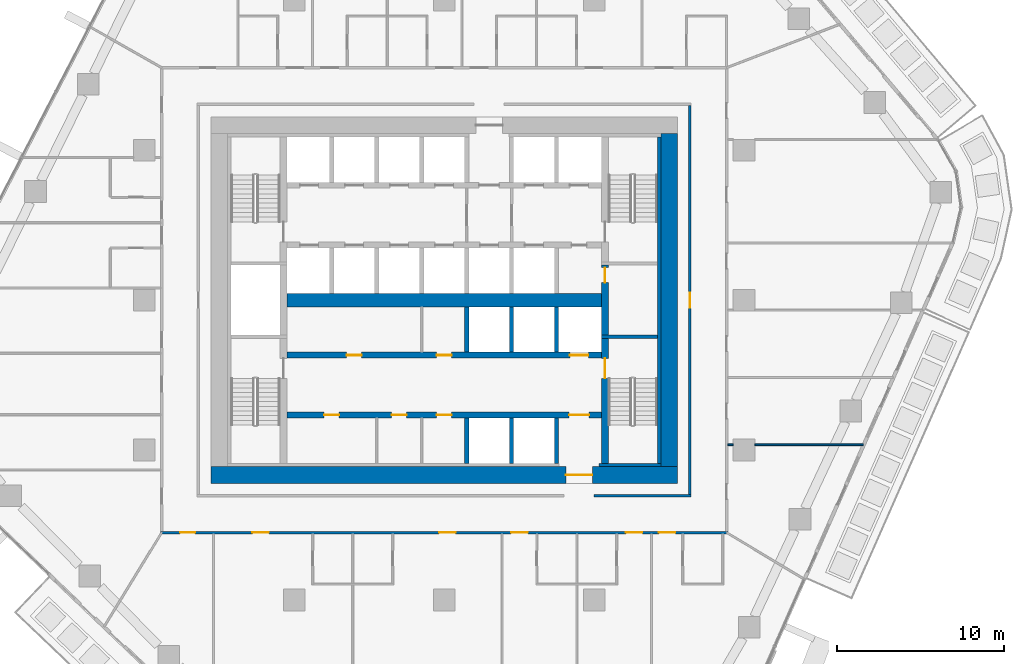
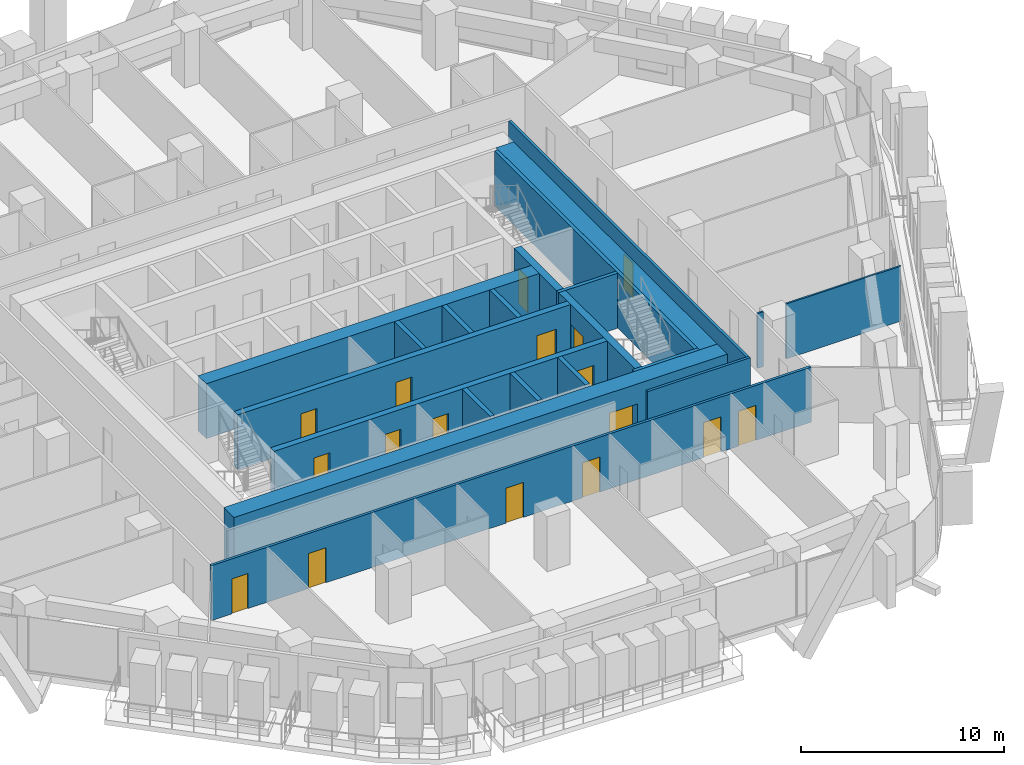
# One storey, part 13 of 24: 21 walls, 17 doors, 17 openings.
"""IFC4 building model written with IfcOpenShell, lengths in metres."""

from ifc_helpers import new_model, si_unit, direction, frame, frame_2d, origin, place, context, subcontext, project, spatial, rectangle, extrude, material, layer, layer_set, type_object, element, fill, save


model = new_model("IFC4")

# Units and contexts
model_context = context("Model", 3, precision=1e-05, world=origin(), true_north=direction((0.0, 1.0)))
body_context = subcontext(model_context, "Body", "Model", "MODEL_VIEW")
ifc_project = project(units=[si_unit("LENGTHUNIT", "METRE"), si_unit("AREAUNIT", "SQUARE_METRE"), si_unit("VOLUMEUNIT", "CUBIC_METRE"), si_unit("PLANEANGLEUNIT", "RADIAN"), si_unit("MASSUNIT", "GRAM", prefix="KILO")], contexts=[model_context])

# Site, building, storey
site_placement = place(None, origin())
site = spatial("IfcSite", under=ifc_project, at=site_placement, CompositionType="ELEMENT")
building_placement = place(site_placement, origin())
building = spatial("IfcBuilding", under=site, at=building_placement, Name="Dongbaek Canopy Tower", CompositionType="ELEMENT")
storey_placement = place(building_placement, frame((0.0, 0.0, 113.699951171875)))
storey = spatial("IfcBuildingStorey", under=building, at=storey_placement, Name="L24", CompositionType="ELEMENT", Elevation=113.699951171875)

# Wall
ifc_material_1 = material(Name="Concrete C60/75", Category="concrete")
ifc_layer_1 = layer(ifc_material_1, 0.800048828125)
ifc_layer_set_1 = layer_set([ifc_layer_1], Name="Core central wall 800 Concrete C60/75")
wall_type_1 = type_object("IfcWallType", Name="Core central wall 800 Concrete C60/75", PredefinedType="SHEAR", material=ifc_layer_set_1)
wall_1_placement = place(storey_placement, frame((-9.449951171875, 0.0, 0.0), z_axis=(0.0, 0.0, 1.0), x_axis=(1.0, 0.0, 0.0)))
element("IfcWall", 1, at=wall_1_placement, inside=storey, type_object=wall_type_1, Name="Core wall", PredefinedType="SHEAR", context=body_context, shape_type="SweptSolid", body=[
    extrude(rectangle(XDim=18.89990234375, YDim=0.800048828125, at=frame_2d((9.449951171875, 0.0))), origin(), (0.0, 0.0, 1.0), 3.300048828125),
])

# Wall, openings, doors
ifc_material_2 = material(Name="Concrete C60/75", Category="concrete")
ifc_layer_2 = layer(ifc_material_2, 0.35009765625)
ifc_layer_set_2 = layer_set([ifc_layer_2], Name="Core lobby wall 350 Concrete C60/75")
wall_type_2 = type_object("IfcWallType", Name="Core lobby wall 350 Concrete C60/75", PredefinedType="SHEAR", material=ifc_layer_set_2)
wall_2_placement = place(storey_placement, frame((-9.449951171875, -3.300048828125, 0.0), z_axis=(0.0, 0.0, 1.0), x_axis=(1.0, 0.0, 0.0)))
wall_2 = element("IfcWall", 2, at=wall_2_placement, inside=storey, type_object=wall_type_2, Name="Core wall", PredefinedType="SHEAR", context=body_context, shape_type="SweptSolid", body=[
    extrude(rectangle(XDim=18.89990234375, YDim=0.35009765625, at=frame_2d((9.449951171875, 0.0))), origin(), (0.0, 0.0, 1.0), 3.300048828125),
])
opening_1_placement = place(wall_2_placement, frame((17.0, 0.0, 0.0)))
opening_1 = element("IfcOpeningElement", 3, at=opening_1_placement, cuts=wall_2, Name="Opening L24-D057", PredefinedType="OPENING", context=body_context, shape_type="SweptSolid", body=[
    extrude(rectangle(XDim=1.10009765625, YDim=2.10009765625, at=frame_2d((0.550048828125, 1.050048828125))), frame((0.0, 0.18505859375, 0.0), z_axis=(0.0, -1.0, 0.0), x_axis=(1.0, 0.0, 0.0)), (0.0, 0.0, 1.0), 0.3701171875),
])
opening_2_placement = place(wall_2_placement, frame((3.60009765625, 0.0, 0.0)))
opening_2 = element("IfcOpeningElement", 4, at=opening_2_placement, cuts=wall_2, Name="Opening L24-D060", PredefinedType="OPENING", context=body_context, shape_type="SweptSolid", body=[
    extrude(rectangle(XDim=0.89990234375, YDim=2.10009765625, at=frame_2d((0.449951171875, 1.050048828125))), frame((0.0, 0.18505859375, 0.0), z_axis=(0.0, -1.0, 0.0), x_axis=(1.0, 0.0, 0.0)), (0.0, 0.0, 1.0), 0.3701171875),
])
opening_3_placement = place(wall_2_placement, frame((9.0, 0.0, 0.0)))
opening_3 = element("IfcOpeningElement", 5, at=opening_3_placement, cuts=wall_2, Name="Opening L24-D061", PredefinedType="OPENING", context=body_context, shape_type="SweptSolid", body=[
    extrude(rectangle(XDim=0.89990234375, YDim=2.10009765625, at=frame_2d((0.449951171875, 1.050048828125))), frame((0.0, 0.18505859375, 0.0), z_axis=(0.0, -1.0, 0.0), x_axis=(1.0, 0.0, 0.0)), (0.0, 0.0, 1.0), 0.3701171875),
])
ifc_material_3 = material(Name="Steel", Category="steel")
door_type_1 = type_object("IfcDoorType", Name="Core room door 900 x 2100", OperationType="SINGLE_SWING_LEFT", PredefinedType="DOOR", material=ifc_material_3)
door_1_placement = place(opening_2_placement, origin())
door_1 = element("IfcDoor", 6, at=door_1_placement, inside=storey, type_object=door_type_1, Name="Door L24-D060", OperationType="SINGLE_SWING_RIGHT", OverallHeight=2.10009765625, OverallWidth=0.89990234375, PredefinedType="DOOR", context=body_context, shape_type="SweptSolid", body=[
    extrude(rectangle(XDim=0.89990234375, YDim=2.10009765625, at=frame_2d((0.449951171875, 1.050048828125))), frame((0.0, 0.02490234375, 0.0), z_axis=(0.0, -1.0, 0.0), x_axis=(1.0, 0.0, 0.0)), (0.0, 0.0, 1.0), 0.050048828125),
])
fill(opening_2, door_1)
door_2_placement = place(opening_3_placement, origin())
door_2 = element("IfcDoor", 7, at=door_2_placement, inside=storey, type_object=door_type_1, Name="Door L24-D061", OperationType="SINGLE_SWING_LEFT", OverallHeight=2.10009765625, OverallWidth=0.89990234375, PredefinedType="DOOR", context=body_context, shape_type="SweptSolid", body=[
    extrude(rectangle(XDim=0.89990234375, YDim=2.10009765625, at=frame_2d((0.449951171875, 1.050048828125))), frame((0.0, 0.02490234375, 0.0), z_axis=(0.0, -1.0, 0.0), x_axis=(1.0, 0.0, 0.0)), (0.0, 0.0, 1.0), 0.050048828125),
])
fill(opening_3, door_2)
ifc_material_4 = material(Name="Stainless steel", Category="steel")
door_type_2 = type_object("IfcDoorType", Name="Lift landing door 1100 x 2100", OperationType="DOUBLE_DOOR_SLIDING", PredefinedType="DOOR", material=ifc_material_4)
door_3_placement = place(opening_1_placement, origin())
door_3 = element("IfcDoor", 8, at=door_3_placement, inside=storey, type_object=door_type_2, Name="Landing door SV2", OperationType="DOUBLE_DOOR_SLIDING", OverallHeight=2.10009765625, OverallWidth=1.10009765625, PredefinedType="DOOR", context=body_context, shape_type="SweptSolid", body=[
    extrude(rectangle(XDim=1.10009765625, YDim=2.10009765625, at=frame_2d((0.550048828125, 1.050048828125))), frame((0.0, 0.02490234375, 0.0), z_axis=(0.0, -1.0, 0.0), x_axis=(1.0, 0.0, 0.0)), (0.0, 0.0, 1.0), 0.050048828125),
])
fill(opening_1, door_3)

wall_3_placement = place(storey_placement, frame((9.449951171875, -6.89990234375, 0.0), z_axis=(0.0, 0.0, 1.0), x_axis=(-1.0, 0.0, 0.0)))
wall_3 = element("IfcWall", 9, at=wall_3_placement, inside=storey, type_object=wall_type_2, Name="Core wall", PredefinedType="SHEAR", context=body_context, shape_type="SweptSolid", body=[
    extrude(rectangle(XDim=18.89990234375, YDim=0.35009765625, at=frame_2d((9.449951171875, 0.0))), origin(), (0.0, 0.0, 1.0), 3.300048828125),
])
opening_4_placement = place(wall_3_placement, frame((0.75, 0.0, 0.0)))
opening_4 = element("IfcOpeningElement", 10, at=opening_4_placement, cuts=wall_3, Name="Opening L24-D059", PredefinedType="OPENING", context=body_context, shape_type="SweptSolid", body=[
    extrude(rectangle(XDim=1.199951171875, YDim=2.10009765625, at=frame_2d((0.60009765625, 1.050048828125))), frame((0.0, 0.18505859375, 0.0), z_axis=(0.0, -1.0, 0.0), x_axis=(1.0, 0.0, 0.0)), (0.0, 0.0, 1.0), 0.3701171875),
])
opening_5_placement = place(wall_3_placement, frame((15.75, 0.0, 0.0)))
opening_5 = element("IfcOpeningElement", 11, at=opening_5_placement, cuts=wall_3, Name="Opening L24-D062", PredefinedType="OPENING", context=body_context, shape_type="SweptSolid", body=[
    extrude(rectangle(XDim=0.89990234375, YDim=2.10009765625, at=frame_2d((0.449951171875, 1.050048828125))), frame((0.0, 0.18505859375, 0.0), z_axis=(0.0, -1.0, 0.0), x_axis=(1.0, 0.0, 0.0)), (0.0, 0.0, 1.0), 0.3701171875),
])
opening_6_placement = place(wall_3_placement, frame((11.699951171875, 0.0, 0.0)))
opening_6 = element("IfcOpeningElement", 12, at=opening_6_placement, cuts=wall_3, Name="Opening L24-D063", PredefinedType="OPENING", context=body_context, shape_type="SweptSolid", body=[
    extrude(rectangle(XDim=0.89990234375, YDim=2.10009765625, at=frame_2d((0.449951171875, 1.050048828125))), frame((0.0, 0.18505859375, 0.0), z_axis=(0.0, -1.0, 0.0), x_axis=(1.0, 0.0, 0.0)), (0.0, 0.0, 1.0), 0.3701171875),
])
opening_7_placement = place(wall_3_placement, frame((9.0, 0.0, 0.0)))
opening_7 = element("IfcOpeningElement", 13, at=opening_7_placement, cuts=wall_3, Name="Opening L24-D064", PredefinedType="OPENING", context=body_context, shape_type="SweptSolid", body=[
    extrude(rectangle(XDim=0.89990234375, YDim=2.10009765625, at=frame_2d((0.449951171875, 1.050048828125))), frame((0.0, 0.18505859375, 0.0), z_axis=(0.0, -1.0, 0.0), x_axis=(1.0, 0.0, 0.0)), (0.0, 0.0, 1.0), 0.3701171875),
])
door_4_placement = place(opening_5_placement, origin())
door_4 = element("IfcDoor", 14, at=door_4_placement, inside=storey, type_object=door_type_1, Name="Door L24-D062", OperationType="SINGLE_SWING_RIGHT", OverallHeight=2.10009765625, OverallWidth=0.89990234375, PredefinedType="DOOR", context=body_context, shape_type="SweptSolid", body=[
    extrude(rectangle(XDim=0.89990234375, YDim=2.10009765625, at=frame_2d((0.449951171875, 1.050048828125))), frame((0.0, 0.02490234375, 0.0), z_axis=(0.0, -1.0, 0.0), x_axis=(1.0, 0.0, 0.0)), (0.0, 0.0, 1.0), 0.050048828125),
])
fill(opening_5, door_4)
door_5_placement = place(opening_6_placement, origin())
door_5 = element("IfcDoor", 15, at=door_5_placement, inside=storey, type_object=door_type_1, Name="Door L24-D063", OperationType="SINGLE_SWING_LEFT", OverallHeight=2.10009765625, OverallWidth=0.89990234375, PredefinedType="DOOR", context=body_context, shape_type="SweptSolid", body=[
    extrude(rectangle(XDim=0.89990234375, YDim=2.10009765625, at=frame_2d((0.449951171875, 1.050048828125))), frame((0.0, 0.02490234375, 0.0), z_axis=(0.0, -1.0, 0.0), x_axis=(1.0, 0.0, 0.0)), (0.0, 0.0, 1.0), 0.050048828125),
])
fill(opening_6, door_5)
door_6_placement = place(opening_7_placement, origin())
door_6 = element("IfcDoor", 16, at=door_6_placement, inside=storey, type_object=door_type_1, Name="Door L24-D064", OperationType="SINGLE_SWING_RIGHT", OverallHeight=2.10009765625, OverallWidth=0.89990234375, PredefinedType="DOOR", context=body_context, shape_type="SweptSolid", body=[
    extrude(rectangle(XDim=0.89990234375, YDim=2.10009765625, at=frame_2d((0.449951171875, 1.050048828125))), frame((0.0, 0.02490234375, 0.0), z_axis=(0.0, -1.0, 0.0), x_axis=(1.0, 0.0, 0.0)), (0.0, 0.0, 1.0), 0.050048828125),
])
fill(opening_7, door_6)
ifc_material_5 = material(Name="Steel", Category="steel")
door_type_3 = type_object("IfcDoorType", Name="Fire lobby door 1200 x 2100", OperationType="SINGLE_SWING_LEFT", PredefinedType="DOOR", material=ifc_material_5)
door_7_placement = place(opening_4_placement, origin())
door_7 = element("IfcDoor", 17, at=door_7_placement, inside=storey, type_object=door_type_3, Name="Door L24-D059", OperationType="SINGLE_SWING_LEFT", OverallHeight=2.10009765625, OverallWidth=1.199951171875, PredefinedType="DOOR", context=body_context, shape_type="SweptSolid", body=[
    extrude(rectangle(XDim=1.199951171875, YDim=2.10009765625, at=frame_2d((0.60009765625, 1.050048828125))), frame((0.0, 0.02490234375, 0.0), z_axis=(0.0, -1.0, 0.0), x_axis=(1.0, 0.0, 0.0)), (0.0, 0.0, 1.0), 0.050048828125),
])
fill(opening_4, door_7)

# Wall, opening, door
ifc_material_6 = material(Name="Concrete C60/75", Category="concrete")
ifc_layer_3 = layer(ifc_material_6, 1.0)
ifc_layer_set_3 = layer_set([ifc_layer_3], Name="Core outer wall 1000 Concrete C60/75")
wall_type_3 = type_object("IfcWallType", Name="Core outer wall 1000 Concrete C60/75", PredefinedType="SHEAR", material=ifc_layer_set_3)
wall_4_placement = place(storey_placement, frame((14.0, -10.5, 0.0), z_axis=(0.0, 0.0, 1.0), x_axis=(-1.0, 0.0, 0.0)))
wall_4 = element("IfcWall", 18, at=wall_4_placement, inside=storey, type_object=wall_type_3, Name="Core wall", PredefinedType="SHEAR", context=body_context, shape_type="SweptSolid", body=[
    extrude(rectangle(XDim=28.0, YDim=1.0, at=frame_2d((14.0, 0.0))), origin(), (0.0, 0.0, 1.0), 3.300048828125),
])
opening_8_placement = place(wall_4_placement, frame((5.10009765625, 0.0, 0.0)))
opening_8 = element("IfcOpeningElement", 19, at=opening_8_placement, cuts=wall_4, Name="Opening L24-D058", PredefinedType="OPENING", context=body_context, shape_type="SweptSolid", body=[
    extrude(rectangle(XDim=1.60009765625, YDim=2.10009765625, at=frame_2d((0.800048828125, 1.050048828125))), frame((0.0, 0.510009765625, 0.0), z_axis=(0.0, -1.0, 0.0), x_axis=(1.0, 0.0, 0.0)), (0.0, 0.0, 1.0), 1.02001953125),
])
ifc_material_7 = material(Name="Steel", Category="steel")
door_type_4 = type_object("IfcDoorType", Name="Core exit door 1600 x 2100", OperationType="DOUBLE_DOOR_SINGLE_SWING", PredefinedType="DOOR", material=ifc_material_7)
door_8_placement = place(opening_8_placement, origin())
door_8 = element("IfcDoor", 20, at=door_8_placement, inside=storey, type_object=door_type_4, Name="Core exit door", OperationType="DOUBLE_DOOR_SINGLE_SWING", OverallHeight=2.10009765625, OverallWidth=1.60009765625, PredefinedType="DOOR", context=body_context, shape_type="SweptSolid", body=[
    extrude(rectangle(XDim=1.60009765625, YDim=2.10009765625, at=frame_2d((0.800048828125, 1.050048828125))), frame((0.0, 0.02490234375, 0.0), z_axis=(0.0, -1.0, 0.0), x_axis=(1.0, 0.0, 0.0)), (0.0, 0.0, 1.0), 0.050048828125),
])
fill(opening_8, door_8)

# Walls
wall_5_placement = place(storey_placement, frame((13.5, 10.0, 0.0), z_axis=(0.0, 0.0, 1.0), x_axis=(0.0, -1.0, 0.0)))
element("IfcWall", 21, at=wall_5_placement, inside=storey, type_object=wall_type_3, Name="Core wall", PredefinedType="SHEAR", context=body_context, shape_type="SweptSolid", body=[
    extrude(rectangle(XDim=20.0, YDim=1.0, at=frame_2d((10.0, 0.0))), origin(), (0.0, 0.0, 1.0), 3.300048828125),
])
ifc_material_8 = material(Name="Concrete C60/75", Category="concrete")
ifc_layer_4 = layer(ifc_material_8, 0.199951171875)
ifc_layer_set_4 = layer_set([ifc_layer_4], Name="Core wall lining 200 Concrete C60/75")
wall_type_4 = type_object("IfcWallType", Name="Core wall lining 200 Concrete C60/75", PredefinedType="SHEAR", material=ifc_layer_set_4)
wall_6_placement = place(storey_placement, frame((13.0, -9.89990234375, 0.0), z_axis=(0.0, 0.0, 1.0), x_axis=(-1.0, 0.0, 0.0)))
element("IfcWall", 22, at=wall_6_placement, inside=storey, type_object=wall_type_4, Name="Core wall lining", PredefinedType="SHEAR", context=body_context, shape_type="SweptSolid", body=[
    extrude(rectangle(XDim=3.699951171875, YDim=0.199951171875, at=frame_2d((1.85009765625, 0.0))), origin(), (0.0, 0.0, 1.0), 3.300048828125),
])
wall_7_placement = place(storey_placement, frame((12.89990234375, 9.800048828125, 0.0), z_axis=(0.0, 0.0, 1.0), x_axis=(0.0, -1.0, 0.0)))
element("IfcWall", 23, at=wall_7_placement, inside=storey, type_object=wall_type_4, Name="Core wall lining", PredefinedType="SHEAR", context=body_context, shape_type="SweptSolid", body=[
    extrude(rectangle(XDim=19.60009765625, YDim=0.199951171875, at=frame_2d((9.800048828125, 0.0))), origin(), (0.0, 0.0, 1.0), 3.300048828125),
])

# Wall, openings, doors
ifc_material_9 = material(Name="Gypsum board partition, steel stud, 2 x 15 mm fire board", Category="steel")
ifc_layer_5 = layer(ifc_material_9, 0.14990234375)
ifc_layer_set_5 = layer_set([ifc_layer_5], Name="Fire-rated partition 150 gypsum board")
wall_type_5 = type_object("IfcWallType", Name="Fire-rated partition 150 gypsum board", PredefinedType="PARTITIONING", material=ifc_layer_set_5)
wall_8_placement = place(storey_placement, frame((17.02490234375, -13.949951171875, 0.0), z_axis=(0.0, 0.0, 1.0), x_axis=(-1.0, 0.0, 0.0)))
wall_8 = element("IfcWall", 24, at=wall_8_placement, inside=storey, type_object=wall_type_5, Name="Corridor partition", PredefinedType="PARTITIONING", context=body_context, shape_type="SweptSolid", body=[
    extrude(rectangle(XDim=34.0498046875, YDim=0.14990234375, at=frame_2d((17.02490234375, 0.0))), origin(), (0.0, 0.0, 1.0), 3.300048828125),
])
opening_9_placement = place(wall_8_placement, frame((31.9736328125, 0.0, 0.0)))
opening_9 = element("IfcOpeningElement", 25, at=opening_9_placement, cuts=wall_8, Name="Opening L24-D004", PredefinedType="OPENING", context=body_context, shape_type="SweptSolid", body=[
    extrude(rectangle(XDim=0.89990234375, YDim=2.10009765625, at=frame_2d((0.449951171875, 1.050048828125))), frame((0.0, 0.0849609375, 0.0), z_axis=(0.0, -1.0, 0.0), x_axis=(1.0, 0.0, 0.0)), (0.0, 0.0, 1.0), 0.169921875),
])
opening_10_placement = place(wall_8_placement, frame((27.543212890625, 0.0, 0.0)))
opening_10 = element("IfcOpeningElement", 26, at=opening_10_placement, cuts=wall_8, Name="Opening L24-D006", PredefinedType="OPENING", context=body_context, shape_type="SweptSolid", body=[
    extrude(rectangle(XDim=1.0, YDim=2.10009765625, at=frame_2d((0.5, 1.050048828125))), frame((0.0, 0.0849609375, 0.0), z_axis=(0.0, -1.0, 0.0), x_axis=(1.0, 0.0, 0.0)), (0.0, 0.0, 1.0), 0.169921875),
])
opening_11_placement = place(wall_8_placement, frame((16.332763671875, 0.0, 0.0)))
opening_11 = element("IfcOpeningElement", 27, at=opening_11_placement, cuts=wall_8, Name="Opening L24-D008", PredefinedType="OPENING", context=body_context, shape_type="SweptSolid", body=[
    extrude(rectangle(XDim=1.0, YDim=2.10009765625, at=frame_2d((0.5, 1.050048828125))), frame((0.0, 0.0849609375, 0.0), z_axis=(0.0, -1.0, 0.0), x_axis=(1.0, 0.0, 0.0)), (0.0, 0.0, 1.0), 0.169921875),
])
opening_12_placement = place(wall_8_placement, frame((12.005615234375, 0.0, 0.0)))
opening_12 = element("IfcOpeningElement", 28, at=opening_12_placement, cuts=wall_8, Name="Opening L24-D010", PredefinedType="OPENING", context=body_context, shape_type="SweptSolid", body=[
    extrude(rectangle(XDim=1.0, YDim=2.10009765625, at=frame_2d((0.5, 1.050048828125))), frame((0.0, 0.0849609375, 0.0), z_axis=(0.0, -1.0, 0.0), x_axis=(1.0, 0.0, 0.0)), (0.0, 0.0, 1.0), 0.169921875),
])
opening_13_placement = place(wall_8_placement, frame((5.123779296875, 0.0, 0.0)))
opening_13 = element("IfcOpeningElement", 29, at=opening_13_placement, cuts=wall_8, Name="Opening L24-D012", PredefinedType="OPENING", context=body_context, shape_type="SweptSolid", body=[
    extrude(rectangle(XDim=1.0, YDim=2.10009765625, at=frame_2d((0.5, 1.050048828125))), frame((0.0, 0.0849609375, 0.0), z_axis=(0.0, -1.0, 0.0), x_axis=(1.0, 0.0, 0.0)), (0.0, 0.0, 1.0), 0.169921875),
])
opening_14_placement = place(wall_8_placement, frame((3.14404296875, 0.0, 0.0)))
opening_14 = element("IfcOpeningElement", 30, at=opening_14_placement, cuts=wall_8, Name="Opening L24-D014", PredefinedType="OPENING", context=body_context, shape_type="SweptSolid", body=[
    extrude(rectangle(XDim=1.0, YDim=2.10009765625, at=frame_2d((0.5, 1.050048828125))), frame((0.0, 0.0849609375, 0.0), z_axis=(0.0, -1.0, 0.0), x_axis=(1.0, 0.0, 0.0)), (0.0, 0.0, 1.0), 0.169921875),
])
ifc_material_10 = material(Name="Timber veneered door leaf", Category="wood")
door_type_5 = type_object("IfcDoorType", Name="Guest room door 1000 x 2100", OperationType="SINGLE_SWING_LEFT", PredefinedType="DOOR", material=ifc_material_10)
door_9_placement = place(opening_10_placement, origin())
door_9 = element("IfcDoor", 31, at=door_9_placement, inside=storey, type_object=door_type_5, Name="Door L24-D006", OperationType="SINGLE_SWING_LEFT", OverallHeight=2.10009765625, OverallWidth=1.0, PredefinedType="DOOR", context=body_context, shape_type="SweptSolid", body=[
    extrude(rectangle(XDim=1.0, YDim=2.10009765625, at=frame_2d((0.5, 1.050048828125))), frame((0.0, 0.02490234375, 0.0), z_axis=(0.0, -1.0, 0.0), x_axis=(1.0, 0.0, 0.0)), (0.0, 0.0, 1.0), 0.050048828125),
])
fill(opening_10, door_9)
door_10_placement = place(opening_11_placement, origin())
door_10 = element("IfcDoor", 32, at=door_10_placement, inside=storey, type_object=door_type_5, Name="Door L24-D008", OperationType="SINGLE_SWING_RIGHT", OverallHeight=2.10009765625, OverallWidth=1.0, PredefinedType="DOOR", context=body_context, shape_type="SweptSolid", body=[
    extrude(rectangle(XDim=1.0, YDim=2.10009765625, at=frame_2d((0.5, 1.050048828125))), frame((0.0, 0.02490234375, 0.0), z_axis=(0.0, -1.0, 0.0), x_axis=(1.0, 0.0, 0.0)), (0.0, 0.0, 1.0), 0.050048828125),
])
fill(opening_11, door_10)
door_11_placement = place(opening_12_placement, origin())
door_11 = element("IfcDoor", 33, at=door_11_placement, inside=storey, type_object=door_type_5, Name="Door L24-D010", OperationType="SINGLE_SWING_LEFT", OverallHeight=2.10009765625, OverallWidth=1.0, PredefinedType="DOOR", context=body_context, shape_type="SweptSolid", body=[
    extrude(rectangle(XDim=1.0, YDim=2.10009765625, at=frame_2d((0.5, 1.050048828125))), frame((0.0, 0.02490234375, 0.0), z_axis=(0.0, -1.0, 0.0), x_axis=(1.0, 0.0, 0.0)), (0.0, 0.0, 1.0), 0.050048828125),
])
fill(opening_12, door_11)
door_12_placement = place(opening_13_placement, origin())
door_12 = element("IfcDoor", 34, at=door_12_placement, inside=storey, type_object=door_type_5, Name="Door L24-D012", OperationType="SINGLE_SWING_RIGHT", OverallHeight=2.10009765625, OverallWidth=1.0, PredefinedType="DOOR", context=body_context, shape_type="SweptSolid", body=[
    extrude(rectangle(XDim=1.0, YDim=2.10009765625, at=frame_2d((0.5, 1.050048828125))), frame((0.0, 0.02490234375, 0.0), z_axis=(0.0, -1.0, 0.0), x_axis=(1.0, 0.0, 0.0)), (0.0, 0.0, 1.0), 0.050048828125),
])
fill(opening_13, door_12)
door_13_placement = place(opening_14_placement, origin())
door_13 = element("IfcDoor", 35, at=door_13_placement, inside=storey, type_object=door_type_5, Name="Door L24-D014", OperationType="SINGLE_SWING_LEFT", OverallHeight=2.10009765625, OverallWidth=1.0, PredefinedType="DOOR", context=body_context, shape_type="SweptSolid", body=[
    extrude(rectangle(XDim=1.0, YDim=2.10009765625, at=frame_2d((0.5, 1.050048828125))), frame((0.0, 0.02490234375, 0.0), z_axis=(0.0, -1.0, 0.0), x_axis=(1.0, 0.0, 0.0)), (0.0, 0.0, 1.0), 0.050048828125),
])
fill(opening_14, door_13)
ifc_material_11 = material(Name="Timber veneered door leaf", Category="wood")
door_type_6 = type_object("IfcDoorType", Name="Room door 900 x 2100", OperationType="SINGLE_SWING_LEFT", PredefinedType="DOOR", material=ifc_material_11)
door_14_placement = place(opening_9_placement, origin())
door_14 = element("IfcDoor", 36, at=door_14_placement, inside=storey, type_object=door_type_6, Name="Door L24-D004", OperationType="SINGLE_SWING_RIGHT", OverallHeight=2.10009765625, OverallWidth=0.89990234375, PredefinedType="DOOR", context=body_context, shape_type="SweptSolid", body=[
    extrude(rectangle(XDim=0.89990234375, YDim=2.10009765625, at=frame_2d((0.449951171875, 1.050048828125))), frame((0.0, 0.02490234375, 0.0), z_axis=(0.0, -1.0, 0.0), x_axis=(1.0, 0.0, 0.0)), (0.0, 0.0, 1.0), 0.050048828125),
])
fill(opening_9, door_14)

# Wall
wall_9_placement = place(storey_placement, frame((9.0, -11.75, 0.0), z_axis=(0.0, 0.0, 1.0), x_axis=(1.0, 0.0, 0.0)))
element("IfcWall", 37, at=wall_9_placement, inside=storey, type_object=wall_type_5, Name="Corridor partition", PredefinedType="PARTITIONING", context=body_context, shape_type="SweptSolid", body=[
    extrude(rectangle(XDim=5.824951171875, YDim=0.14990234375, at=frame_2d((2.91259765625, 0.0))), origin(), (0.0, 0.0, 1.0), 3.300048828125),
])

# Wall, opening, door
wall_10_placement = place(storey_placement, frame((14.75, -11.675048828125, 0.0), z_axis=(0.0, 0.0, 1.0), x_axis=(0.0, 1.0, 0.0)))
wall_10 = element("IfcWall", 38, at=wall_10_placement, inside=storey, type_object=wall_type_5, Name="Corridor partition", PredefinedType="PARTITIONING", context=body_context, shape_type="SweptSolid", body=[
    extrude(rectangle(XDim=23.35009765625, YDim=0.14990234375, at=frame_2d((11.675048828125, 0.0))), origin(), (0.0, 0.0, 1.0), 3.300048828125),
])
opening_15_placement = place(wall_10_placement, frame((11.22509765625, 0.0, 0.0)))
opening_15 = element("IfcOpeningElement", 39, at=opening_15_placement, cuts=wall_10, Name="Opening L24-D040", PredefinedType="OPENING", context=body_context, shape_type="SweptSolid", body=[
    extrude(rectangle(XDim=0.89990234375, YDim=2.10009765625, at=frame_2d((0.449951171875, 1.050048828125))), frame((0.0, 0.0849609375, 0.0), z_axis=(0.0, -1.0, 0.0), x_axis=(1.0, 0.0, 0.0)), (0.0, 0.0, 1.0), 0.169921875),
])
door_15_placement = place(opening_15_placement, origin())
door_15 = element("IfcDoor", 40, at=door_15_placement, inside=storey, type_object=door_type_6, Name="Door L24-D040", OperationType="SINGLE_SWING_LEFT", OverallHeight=2.10009765625, OverallWidth=0.89990234375, PredefinedType="DOOR", context=body_context, shape_type="SweptSolid", body=[
    extrude(rectangle(XDim=0.89990234375, YDim=2.10009765625, at=frame_2d((0.449951171875, 1.050048828125))), frame((0.0, 0.02490234375, 0.0), z_axis=(0.0, -1.0, 0.0), x_axis=(1.0, 0.0, 0.0)), (0.0, 0.0, 1.0), 0.050048828125),
])
fill(opening_15, door_15)

# Walls
ifc_material_12 = material(Name="Concrete C40/50", Category="concrete")
ifc_layer_6 = layer(ifc_material_12, 0.25)
ifc_layer_set_6 = layer_set([ifc_layer_6], Name="Lift shaft wall 250 Concrete C40/50")
wall_type_6 = type_object("IfcWallType", Name="Lift shaft wall 250 Concrete C40/50", PredefinedType="SOLIDWALL", material=ifc_layer_set_6)
for number, where, z_axis, x_axis, name in (
    (41, (6.75, -9.800048828125, 0.0), (0.0, 0.0, 1.0), (0.0, 1.0, 0.0), "Lift shaft wall"),
    (42, (6.75, -3.125, 0.0), (0.0, 0.0, 1.0), (0.0, 1.0, 0.0), "Lift shaft wall"),
    (43, (4.050048828125, -9.800048828125, 0.0), (0.0, 0.0, 1.0), (0.0, 1.0, 0.0), "Lift shaft wall"),
    (44, (4.050048828125, -3.125, 0.0), (0.0, 0.0, 1.0), (0.0, 1.0, 0.0), "Lift shaft wall"),
    (45, (1.35009765625, -9.800048828125, 0.0), (0.0, 0.0, 1.0), (0.0, 1.0, 0.0), "Lift shaft wall"),
    (46, (1.35009765625, -3.125, 0.0), (0.0, 0.0, 1.0), (0.0, 1.0, 0.0), "Lift shaft wall"),
):
    element("IfcWall", number, at=place(storey_placement, frame(where, z_axis=z_axis, x_axis=x_axis)), inside=storey, type_object=wall_type_6, Name=name, PredefinedType="SOLIDWALL", context=body_context, shape_type="SweptSolid", body=[
        extrude(rectangle(XDim=2.72509765625, YDim=0.25, at=frame_2d((1.362548828125, 0.0))), origin(), (0.0, 0.0, 1.0), 3.300048828125),
    ])
ifc_material_13 = material(Name="Gypsum board partition, steel stud, 2 x 12.5 mm board", Category="steel")
ifc_layer_7 = layer(ifc_material_13, 0.10009765625)
ifc_layer_set_7 = layer_set([ifc_layer_7], Name="Partition 100 gypsum board")
wall_type_7 = type_object("IfcWallType", Name="Partition 100 gypsum board", PredefinedType="PARTITIONING", material=ifc_layer_set_7)
wall_11_placement = place(storey_placement, frame((17.02490234375, -8.680908203125, 0.0), z_axis=(0.0, 0.0, 1.0), x_axis=(1.0, 0.0, 0.0)))
element("IfcWall", 47, at=wall_11_placement, inside=storey, type_object=wall_type_7, Name="Partition", PredefinedType="PARTITIONING", context=body_context, shape_type="SweptSolid", body=[
    extrude(rectangle(XDim=0.3251953125, YDim=0.10009765625, at=frame_2d((0.16259765625, 0.0))), origin(), (0.0, 0.0, 1.0), 3.300048828125),
])
wall_12_placement = place(storey_placement, frame((18.64990234375, -8.680908203125, 0.0), z_axis=(0.0, 0.0, 1.0), x_axis=(1.0, 0.0, 0.0)))
element("IfcWall", 48, at=wall_12_placement, inside=storey, type_object=wall_type_7, Name="Partition", PredefinedType="PARTITIONING", context=body_context, shape_type="SweptSolid", body=[
    extrude(rectangle(XDim=6.515380859375, YDim=0.10009765625, at=frame_2d((3.2578125, 0.0))), origin(), (0.0, 0.0, 1.0), 3.300048828125),
])
ifc_material_14 = material(Name="Concrete C60/75", Category="concrete")
ifc_layer_8 = layer(ifc_material_14, 0.199951171875)
ifc_layer_set_8 = layer_set([ifc_layer_8], Name="Riser wall 200 Concrete C60/75")
wall_type_8 = type_object("IfcWallType", Name="Riser wall 200 Concrete C60/75", PredefinedType="SHEAR", material=ifc_layer_set_8)
wall_13_placement = place(storey_placement, frame((9.449951171875, -2.199951171875, 0.0), z_axis=(0.0, 0.0, 1.0), x_axis=(1.0, 0.0, 0.0)))
element("IfcWall", 49, at=wall_13_placement, inside=storey, type_object=wall_type_8, Name="Riser wall", PredefinedType="SHEAR", context=body_context, shape_type="SweptSolid", body=[
    extrude(rectangle(XDim=3.35009765625, YDim=0.199951171875, at=frame_2d((1.675048828125, 0.0))), origin(), (0.0, 0.0, 1.0), 3.300048828125),
])

# Wall, opening, door
ifc_material_15 = material(Name="Concrete C60/75", Category="concrete")
ifc_layer_9 = layer(ifc_material_15, 0.39990234375)
ifc_layer_set_9 = layer_set([ifc_layer_9], Name="Stair wall 400 Concrete C60/75")
wall_type_9 = type_object("IfcWallType", Name="Stair wall 400 Concrete C60/75", PredefinedType="SHEAR", material=ifc_layer_set_9)
wall_14_placement = place(storey_placement, frame((9.64990234375, -2.300048828125, 0.0), z_axis=(0.0, 0.0, 1.0), x_axis=(0.0, -1.0, 0.0)))
wall_14 = element("IfcWall", 50, at=wall_14_placement, inside=storey, type_object=wall_type_9, Name="Stair wall", PredefinedType="SHEAR", context=body_context, shape_type="SweptSolid", body=[
    extrude(rectangle(XDim=7.5, YDim=0.39990234375, at=frame_2d((3.75, 0.0))), origin(), (0.0, 0.0, 1.0), 3.300048828125),
])
opening_16_placement = place(wall_14_placement, frame((1.199951171875, 0.0, 0.0)))
opening_16 = element("IfcOpeningElement", 51, at=opening_16_placement, cuts=wall_14, Name="Opening L24-D067", PredefinedType="OPENING", context=body_context, shape_type="SweptSolid", body=[
    extrude(rectangle(XDim=1.199951171875, YDim=2.10009765625, at=frame_2d((0.60009765625, 1.050048828125))), frame((0.0, 0.2099609375, 0.0), z_axis=(0.0, -1.0, 0.0), x_axis=(1.0, 0.0, 0.0)), (0.0, 0.0, 1.0), 0.419921875),
])
ifc_material_16 = material(Name="Steel", Category="steel")
door_type_7 = type_object("IfcDoorType", Name="Stair door 1200 x 2100", OperationType="SINGLE_SWING_LEFT", PredefinedType="DOOR", material=ifc_material_16)
door_16_placement = place(opening_16_placement, origin())
door_16 = element("IfcDoor", 52, at=door_16_placement, inside=storey, type_object=door_type_7, Name="Stair B door", OperationType="SINGLE_SWING_RIGHT", OverallHeight=2.10009765625, OverallWidth=1.199951171875, PredefinedType="DOOR", context=body_context, shape_type="SweptSolid", body=[
    extrude(rectangle(XDim=1.199951171875, YDim=2.10009765625, at=frame_2d((0.60009765625, 1.050048828125))), frame((0.0, 0.02490234375, 0.0), z_axis=(0.0, -1.0, 0.0), x_axis=(1.0, 0.0, 0.0)), (0.0, 0.0, 1.0), 0.050048828125),
])
fill(opening_16, door_16)

wall_15_placement = place(storey_placement, frame((9.64990234375, 2.10009765625, 0.0), z_axis=(0.0, 0.0, 1.0), x_axis=(0.0, -1.0, 0.0)))
wall_15 = element("IfcWall", 53, at=wall_15_placement, inside=storey, type_object=wall_type_9, Name="Stair wall", PredefinedType="SHEAR", context=body_context, shape_type="SweptSolid", body=[
    extrude(rectangle(XDim=4.2001953125, YDim=0.39990234375, at=frame_2d((2.10009765625, 0.0))), origin(), (0.0, 0.0, 1.0), 3.300048828125),
])
opening_17_placement = place(wall_15_placement, frame((0.14990234375, 0.0, 0.0)))
opening_17 = element("IfcOpeningElement", 54, at=opening_17_placement, cuts=wall_15, Name="Opening L24-D041", PredefinedType="OPENING", context=body_context, shape_type="SweptSolid", body=[
    extrude(rectangle(XDim=0.89990234375, YDim=2.10009765625, at=frame_2d((0.449951171875, 1.050048828125))), frame((0.0, 0.2099609375, 0.0), z_axis=(0.0, -1.0, 0.0), x_axis=(1.0, 0.0, 0.0)), (0.0, 0.0, 1.0), 0.419921875),
])
door_17_placement = place(opening_17_placement, origin())
door_17 = element("IfcDoor", 55, at=door_17_placement, inside=storey, type_object=door_type_1, Name="Door L24-D041", OperationType="SINGLE_SWING_RIGHT", OverallHeight=2.10009765625, OverallWidth=0.89990234375, PredefinedType="DOOR", context=body_context, shape_type="SweptSolid", body=[
    extrude(rectangle(XDim=0.89990234375, YDim=2.10009765625, at=frame_2d((0.449951171875, 1.050048828125))), frame((0.0, 0.02490234375, 0.0), z_axis=(0.0, -1.0, 0.0), x_axis=(1.0, 0.0, 0.0)), (0.0, 0.0, 1.0), 0.050048828125),
])
fill(opening_17, door_17)

save(model, "model.ifc")
